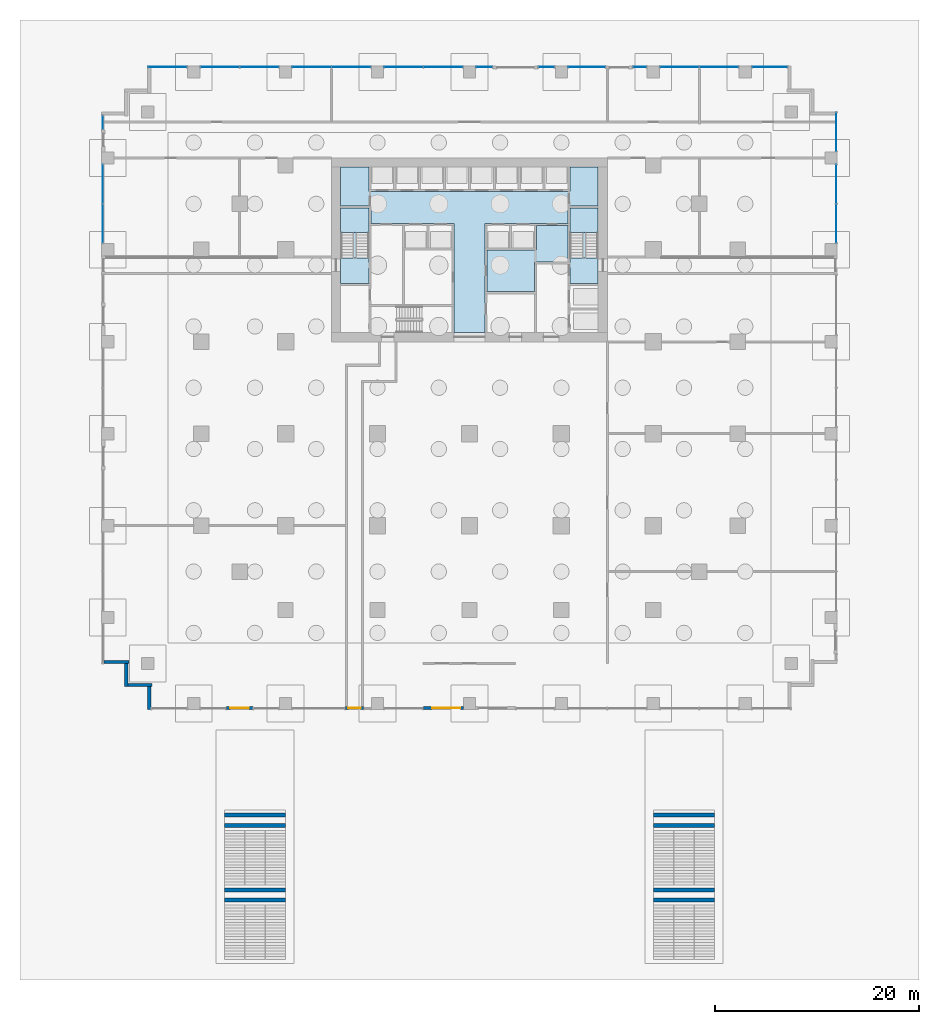
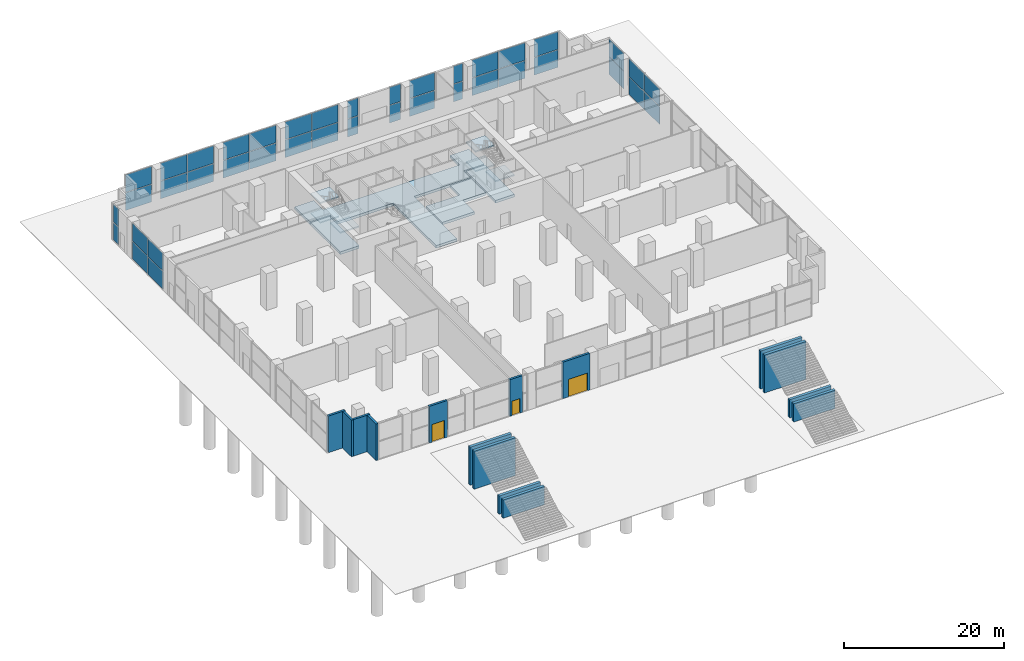
# One storey, part 13 of 20: 40 plates, 15 walls, 10 slabs, 3 doors, 3 openings, 16 elements without a shape of their own.
"""IFC4 building model written with IfcOpenShell, lengths in metres."""

from ifc_helpers import new_model, si_unit, direction, frame, frame_2d, origin, origin_2d, place, context, subcontext, project, spatial, polyline, rectangle, outline, extrude, material, layer, layer_set, type_object, element, fill, aggregate, save


model = new_model("IFC4")

# Units and contexts
model_context = context("Model", 3, precision=1e-05, world=origin(), true_north=direction((0.0, 1.0)))
body_context = subcontext(model_context, "Body", "Model", "MODEL_VIEW")
ifc_project = project(units=[si_unit("LENGTHUNIT", "METRE"), si_unit("AREAUNIT", "SQUARE_METRE"), si_unit("VOLUMEUNIT", "CUBIC_METRE"), si_unit("PLANEANGLEUNIT", "RADIAN"), si_unit("MASSUNIT", "GRAM", prefix="KILO")], contexts=[model_context])

# Site, building, storey
site_placement = place(None, origin())
site = spatial("IfcSite", under=ifc_project, at=site_placement, CompositionType="ELEMENT")
building_placement = place(site_placement, origin())
building = spatial("IfcBuilding", under=site, at=building_placement, Name="Orbiselva Terraces", CompositionType="ELEMENT")
storey_placement = place(building_placement, origin())
storey = spatial("IfcBuildingStorey", under=building, at=storey_placement, Name="L00", CompositionType="ELEMENT", Elevation=0.0)

# Slabs
ifc_material_1 = material(Name="Concrete C40/50", Category="concrete")
ifc_layer_1 = layer(ifc_material_1, 0.4)
ifc_layer_set_1 = layer_set([ifc_layer_1], Name="Concrete C40/50")
slab_type_1 = type_object("IfcSlabType", Name="CORE-SLAB-GROUND-400", PredefinedType="BASESLAB", material=ifc_layer_set_1)
slab_1_placement = place(storey_placement, frame((0.0, 0.0, -0.4)))
element("IfcSlab", 1, at=slab_1_placement, inside=storey, type_object=slab_type_1, Name="L00 core floor slab 1", PredefinedType="BASESLAB", context=body_context, shape_type="SweptSolid", body=[
    extrude(outline(polyline([(12.6, 10.2), (9.85, 10.2), (9.85, 17.6), (12.6, 17.6), (12.6, 10.2)])), origin(), (0.0, 0.0, 1.0), 0.4),
])
slab_2_placement = place(storey_placement, frame((0.0, 0.0, -0.4)))
element("IfcSlab", 2, at=slab_2_placement, inside=storey, type_object=slab_type_1, Name="L00 core floor slab 2", PredefinedType="BASESLAB", context=body_context, shape_type="SweptSolid", body=[
    extrude(outline(polyline([(12.6, 21.6), (12.6, 17.8), (9.65, 17.8), (9.65, 16.1), (1.5, 16.1), (1.5, 5.4), (-1.5, 5.4), (-1.5, 16.1), (-9.65, 16.1), (-9.65, 17.8), (-12.6, 17.8), (-12.6, 21.6), (-9.85, 21.6), (-9.85, 19.2), (9.85, 19.2), (9.85, 21.6), (12.6, 21.6)])), origin(), (0.0, 0.0, 1.0), 0.4),
])
slab_3_placement = place(storey_placement, frame((0.0, 0.0, -0.4)))
element("IfcSlab", 3, at=slab_3_placement, inside=storey, type_object=slab_type_1, Name="L00 core floor slab 3", PredefinedType="BASESLAB", context=body_context, shape_type="SweptSolid", body=[
    extrude(outline(polyline([(-12.6, 17.6), (-9.85, 17.6), (-9.85, 10.2), (-12.6, 10.2), (-12.6, 17.6)])), origin(), (0.0, 0.0, 1.0), 0.4),
])
slab_4_placement = place(storey_placement, frame((0.0, 0.0, -0.4)))
element("IfcSlab", 4, at=slab_4_placement, inside=storey, type_object=slab_type_1, Name="L00 core floor slab 8", PredefinedType="BASESLAB", context=body_context, shape_type="SweptSolid", body=[
    extrude(outline(polyline([(6.575, 13.5), (6.575, 15.9), (9.65, 15.9), (9.65, 12.3), (6.375, 12.3), (6.375, 9.4), (1.7, 9.4), (1.7, 13.5), (6.575, 13.5)])), origin(), (0.0, 0.0, 1.0), 0.4),
])

# Stair, slabs
stair_type = type_object("IfcStairType", Name="CORE-STAIR-1300", PredefinedType="HALF_TURN_STAIR", material=ifc_material_1)
stair_1_placement = place(storey_placement, origin())
stair_1 = element("IfcStair", 5, at=stair_1_placement, inside=storey, type_object=stair_type, Name="L00 Exit Stair S1", PredefinedType="HALF_TURN_STAIR")
ifc_layer_2 = layer(ifc_material_1, 0.2)
ifc_layer_set_2 = layer_set([ifc_layer_2], Name="Concrete C40/50")
slab_type_2 = type_object("IfcSlabType", Name="CORE-STAIR-LANDING-200", PredefinedType="LANDING", material=ifc_layer_set_2)
slab_5_placement = place(storey_placement, frame((0.0, 0.0, 1.3)))
slab_5 = element("IfcSlab", 6, at=slab_5_placement, type_object=slab_type_2, Name="S1 landing 1", PredefinedType="LANDING", context=body_context, shape_type="SweptSolid", body=[
    extrude(outline(polyline([(-9.85, 15.22), (-9.85, 17.6), (-12.6, 17.6), (-12.6, 15.22), (-9.85, 15.22)])), origin(), (0.0, 0.0, 1.0), 0.2),
])
slab_6_placement = place(storey_placement, frame((0.0, 0.0, 2.8)))
slab_6 = element("IfcSlab", 7, at=slab_6_placement, type_object=slab_type_2, Name="S1 landing 2", PredefinedType="LANDING", context=body_context, shape_type="SweptSolid", body=[
    extrude(outline(polyline([(-9.85, 10.2), (-9.85, 12.7), (-12.6, 12.7), (-12.6, 10.2), (-9.85, 10.2)])), origin(), (0.0, 0.0, 1.0), 0.2),
])
slab_7_placement = place(storey_placement, frame((0.0, 0.0, 4.3)))
slab_7 = element("IfcSlab", 8, at=slab_7_placement, type_object=slab_type_2, Name="S1 landing 3", PredefinedType="LANDING", context=body_context, shape_type="SweptSolid", body=[
    extrude(outline(polyline([(-9.85, 15.22), (-9.85, 17.6), (-12.6, 17.6), (-12.6, 15.22), (-9.85, 15.22)])), origin(), (0.0, 0.0, 1.0), 0.2),
])
aggregate(stair_1, [slab_5, slab_6, slab_7])

stair_2_placement = place(storey_placement, origin())
stair_2 = element("IfcStair", 9, at=stair_2_placement, inside=storey, type_object=stair_type, Name="L00 Exit Stair S2", PredefinedType="HALF_TURN_STAIR")
slab_8_placement = place(storey_placement, frame((0.0, 0.0, 1.3)))
slab_8 = element("IfcSlab", 10, at=slab_8_placement, type_object=slab_type_2, Name="S2 landing 1", PredefinedType="LANDING", context=body_context, shape_type="SweptSolid", body=[
    extrude(outline(polyline([(12.6, 15.22), (12.6, 17.6), (9.85, 17.6), (9.85, 15.22), (12.6, 15.22)])), origin(), (0.0, 0.0, 1.0), 0.2),
])
slab_9_placement = place(storey_placement, frame((0.0, 0.0, 2.8)))
slab_9 = element("IfcSlab", 11, at=slab_9_placement, type_object=slab_type_2, Name="S2 landing 2", PredefinedType="LANDING", context=body_context, shape_type="SweptSolid", body=[
    extrude(outline(polyline([(12.6, 10.2), (12.6, 12.7), (9.85, 12.7), (9.85, 10.2), (12.6, 10.2)])), origin(), (0.0, 0.0, 1.0), 0.2),
])
slab_10_placement = place(storey_placement, frame((0.0, 0.0, 4.3)))
slab_10 = element("IfcSlab", 12, at=slab_10_placement, type_object=slab_type_2, Name="S2 landing 3", PredefinedType="LANDING", context=body_context, shape_type="SweptSolid", body=[
    extrude(outline(polyline([(12.6, 15.22), (12.6, 17.6), (9.85, 17.6), (9.85, 15.22), (12.6, 15.22)])), origin(), (0.0, 0.0, 1.0), 0.2),
])
aggregate(stair_2, [slab_8, slab_9, slab_10])

# Curtain wall, plates
ifc_material_2 = material(Name="Clear low-e glazing in aluminium frame", Category="aluminium")
curtain_wall_type = type_object("IfcCurtainWallType", Name="ENV-CW-LOBBY", PredefinedType="NOTDEFINED", material=ifc_material_2)
curtain_wall_1_placement = place(storey_placement, origin())
curtain_wall_1 = element("IfcCurtainWall", 13, at=curtain_wall_1_placement, inside=storey, type_object=curtain_wall_type, Name="Curtain wall L00 E", PredefinedType="NOTDEFINED")
ifc_material_3 = material(Name="Clear low-e glass", Category="glass")
ifc_layer_3 = layer(ifc_material_3, 0.028)
ifc_layer_set_3 = layer_set([ifc_layer_3], Name="Clear low-e glass")
plate_type = type_object("IfcPlateType", Name="ENV-CW-LOBBY-PANEL-28", PredefinedType="CURTAIN_PANEL", material=ifc_layer_set_3)
plate_1_placement = place(storey_placement, frame((35.9, 16.06875, 0.075), z_axis=(0.0, 0.0, 1.0), x_axis=(0.0, 1.0, 0.0)))
plate_1 = element("IfcPlate", 14, at=plate_1_placement, type_object=plate_type, Name="CW1 panel 1.1", PredefinedType="CURTAIN_PANEL", context=body_context, shape_type="SweptSolid", body=[
    extrude(rectangle(XDim=3.7875, YDim=0.028, at=origin_2d()), origin(), (0.0, 0.0, 1.0), 2.6875),
])
plate_2_placement = place(storey_placement, frame((35.9, 16.06875, 2.8375), z_axis=(0.0, 0.0, 1.0), x_axis=(0.0, 1.0, 0.0)))
plate_2 = element("IfcPlate", 15, at=plate_2_placement, type_object=plate_type, Name="CW1 panel 1.2", PredefinedType="CURTAIN_PANEL", context=body_context, shape_type="SweptSolid", body=[
    extrude(rectangle(XDim=3.7875, YDim=0.028, at=origin_2d()), origin(), (0.0, 0.0, 1.0), 2.6875),
])
plate_3_placement = place(storey_placement, frame((35.9, 19.93125, 0.075), z_axis=(0.0, 0.0, 1.0), x_axis=(0.0, 1.0, 0.0)))
plate_3 = element("IfcPlate", 16, at=plate_3_placement, type_object=plate_type, Name="CW1 panel 2.1", PredefinedType="CURTAIN_PANEL", context=body_context, shape_type="SweptSolid", body=[
    extrude(rectangle(XDim=3.7875, YDim=0.028, at=origin_2d()), origin(), (0.0, 0.0, 1.0), 2.6875),
])
plate_4_placement = place(storey_placement, frame((35.9, 19.93125, 2.8375), z_axis=(0.0, 0.0, 1.0), x_axis=(0.0, 1.0, 0.0)))
plate_4 = element("IfcPlate", 17, at=plate_4_placement, type_object=plate_type, Name="CW1 panel 2.2", PredefinedType="CURTAIN_PANEL", context=body_context, shape_type="SweptSolid", body=[
    extrude(rectangle(XDim=3.7875, YDim=0.028, at=origin_2d()), origin(), (0.0, 0.0, 1.0), 2.6875),
])
aggregate(curtain_wall_1, [plate_1, plate_2, plate_3, plate_4])

curtain_wall_2_placement = place(storey_placement, origin())
curtain_wall_2 = element("IfcCurtainWall", 18, at=curtain_wall_2_placement, inside=storey, type_object=curtain_wall_type, Name="Curtain wall L00 E", PredefinedType="NOTDEFINED")
plate_5_placement = place(storey_placement, frame((35.9, 25.05, 0.075), z_axis=(0.0, 0.0, 1.0), x_axis=(0.0, 1.0, 0.0)))
plate_5 = element("IfcPlate", 19, at=plate_5_placement, type_object=plate_type, Name="CW1 panel 1.1", PredefinedType="CURTAIN_PANEL", context=body_context, shape_type="SweptSolid", body=[
    extrude(rectangle(XDim=3.75, YDim=0.028, at=origin_2d()), origin(), (0.0, 0.0, 1.0), 2.6875),
])
plate_6_placement = place(storey_placement, frame((35.9, 25.05, 2.8375), z_axis=(0.0, 0.0, 1.0), x_axis=(0.0, 1.0, 0.0)))
plate_6 = element("IfcPlate", 20, at=plate_6_placement, type_object=plate_type, Name="CW1 panel 1.2", PredefinedType="CURTAIN_PANEL", context=body_context, shape_type="SweptSolid", body=[
    extrude(rectangle(XDim=3.75, YDim=0.028, at=origin_2d()), origin(), (0.0, 0.0, 1.0), 2.6875),
])
aggregate(curtain_wall_2, [plate_5, plate_6])

curtain_wall_3_placement = place(storey_placement, origin())
curtain_wall_3 = element("IfcCurtainWall", 21, at=curtain_wall_3_placement, inside=storey, type_object=curtain_wall_type, Name="Curtain wall L00 N", PredefinedType="NOTDEFINED")
plate_7_placement = place(storey_placement, frame((29.4, 31.4, 0.075), z_axis=(0.0, 0.0, 1.0), x_axis=(-1.0, 0.0, 0.0)))
plate_7 = element("IfcPlate", 22, at=plate_7_placement, type_object=plate_type, Name="CW1 panel 1.1", PredefinedType="CURTAIN_PANEL", context=body_context, shape_type="SweptSolid", body=[
    extrude(rectangle(XDim=3.45, YDim=0.028, at=origin_2d()), origin(), (0.0, 0.0, 1.0), 2.6875),
])
plate_8_placement = place(storey_placement, frame((29.4, 31.4, 2.8375), z_axis=(0.0, 0.0, 1.0), x_axis=(-1.0, 0.0, 0.0)))
plate_8 = element("IfcPlate", 23, at=plate_8_placement, type_object=plate_type, Name="CW1 panel 1.2", PredefinedType="CURTAIN_PANEL", context=body_context, shape_type="SweptSolid", body=[
    extrude(rectangle(XDim=3.45, YDim=0.028, at=origin_2d()), origin(), (0.0, 0.0, 1.0), 2.6875),
])
aggregate(curtain_wall_3, [plate_7, plate_8])

curtain_wall_4_placement = place(storey_placement, origin())
curtain_wall_4 = element("IfcCurtainWall", 24, at=curtain_wall_4_placement, inside=storey, type_object=curtain_wall_type, Name="Curtain wall L00 N", PredefinedType="NOTDEFINED")
plate_9_placement = place(storey_placement, frame((24.43125, 31.4, 0.075), z_axis=(0.0, 0.0, 1.0), x_axis=(-1.0, 0.0, 0.0)))
plate_9 = element("IfcPlate", 25, at=plate_9_placement, type_object=plate_type, Name="CW1 panel 1.1", PredefinedType="CURTAIN_PANEL", context=body_context, shape_type="SweptSolid", body=[
    extrude(rectangle(XDim=3.7875, YDim=0.028, at=origin_2d()), origin(), (0.0, 0.0, 1.0), 2.6875),
])
plate_10_placement = place(storey_placement, frame((24.43125, 31.4, 2.8375), z_axis=(0.0, 0.0, 1.0), x_axis=(-1.0, 0.0, 0.0)))
plate_10 = element("IfcPlate", 26, at=plate_10_placement, type_object=plate_type, Name="CW1 panel 1.2", PredefinedType="CURTAIN_PANEL", context=body_context, shape_type="SweptSolid", body=[
    extrude(rectangle(XDim=3.7875, YDim=0.028, at=origin_2d()), origin(), (0.0, 0.0, 1.0), 2.6875),
])
plate_11_placement = place(storey_placement, frame((20.56875, 31.4, 0.075), z_axis=(0.0, 0.0, 1.0), x_axis=(-1.0, 0.0, 0.0)))
plate_11 = element("IfcPlate", 27, at=plate_11_placement, type_object=plate_type, Name="CW1 panel 2.1", PredefinedType="CURTAIN_PANEL", context=body_context, shape_type="SweptSolid", body=[
    extrude(rectangle(XDim=3.7875, YDim=0.028, at=origin_2d()), origin(), (0.0, 0.0, 1.0), 2.6875),
])
plate_12_placement = place(storey_placement, frame((20.56875, 31.4, 2.8375), z_axis=(0.0, 0.0, 1.0), x_axis=(-1.0, 0.0, 0.0)))
plate_12 = element("IfcPlate", 28, at=plate_12_placement, type_object=plate_type, Name="CW1 panel 2.2", PredefinedType="CURTAIN_PANEL", context=body_context, shape_type="SweptSolid", body=[
    extrude(rectangle(XDim=3.7875, YDim=0.028, at=origin_2d()), origin(), (0.0, 0.0, 1.0), 2.6875),
])
aggregate(curtain_wall_4, [plate_9, plate_10, plate_11, plate_12])

curtain_wall_5_placement = place(storey_placement, origin())
curtain_wall_5 = element("IfcCurtainWall", 29, at=curtain_wall_5_placement, inside=storey, type_object=curtain_wall_type, Name="Curtain wall L00 N", PredefinedType="NOTDEFINED")
plate_13_placement = place(storey_placement, frame((16.675, 31.4, 0.075), z_axis=(0.0, 0.0, 1.0), x_axis=(-1.0, 0.0, 0.0)))
plate_13 = element("IfcPlate", 30, at=plate_13_placement, type_object=plate_type, Name="CW1 panel 1.1", PredefinedType="CURTAIN_PANEL", context=body_context, shape_type="SweptSolid", body=[
    extrude(rectangle(XDim=1.3, YDim=0.028, at=origin_2d()), origin(), (0.0, 0.0, 1.0), 2.6875),
])
plate_14_placement = place(storey_placement, frame((16.675, 31.4, 2.8375), z_axis=(0.0, 0.0, 1.0), x_axis=(-1.0, 0.0, 0.0)))
plate_14 = element("IfcPlate", 31, at=plate_14_placement, type_object=plate_type, Name="CW1 panel 1.2", PredefinedType="CURTAIN_PANEL", context=body_context, shape_type="SweptSolid", body=[
    extrude(rectangle(XDim=1.3, YDim=0.028, at=origin_2d()), origin(), (0.0, 0.0, 1.0), 2.6875),
])
aggregate(curtain_wall_5, [plate_13, plate_14])

curtain_wall_6_placement = place(storey_placement, origin())
curtain_wall_6 = element("IfcCurtainWall", 32, at=curtain_wall_6_placement, inside=storey, type_object=curtain_wall_type, Name="Curtain wall L00 N", PredefinedType="NOTDEFINED")
plate_15_placement = place(storey_placement, frame((11.475, 31.4, 0.075), z_axis=(0.0, 0.0, 1.0), x_axis=(-1.0, 0.0, 0.0)))
plate_15 = element("IfcPlate", 33, at=plate_15_placement, type_object=plate_type, Name="CW1 panel 1.1", PredefinedType="CURTAIN_PANEL", context=body_context, shape_type="SweptSolid", body=[
    extrude(rectangle(XDim=3.6, YDim=0.028, at=origin_2d()), origin(), (0.0, 0.0, 1.0), 2.6875),
])
plate_16_placement = place(storey_placement, frame((11.475, 31.4, 2.8375), z_axis=(0.0, 0.0, 1.0), x_axis=(-1.0, 0.0, 0.0)))
plate_16 = element("IfcPlate", 34, at=plate_16_placement, type_object=plate_type, Name="CW1 panel 1.2", PredefinedType="CURTAIN_PANEL", context=body_context, shape_type="SweptSolid", body=[
    extrude(rectangle(XDim=3.6, YDim=0.028, at=origin_2d()), origin(), (0.0, 0.0, 1.0), 2.6875),
])
aggregate(curtain_wall_6, [plate_15, plate_16])

curtain_wall_7_placement = place(storey_placement, origin())
curtain_wall_7 = element("IfcCurtainWall", 35, at=curtain_wall_7_placement, inside=storey, type_object=curtain_wall_type, Name="Curtain wall L00 N", PredefinedType="NOTDEFINED")
plate_17_placement = place(storey_placement, frame((7.55, 31.4, 0.075), z_axis=(0.0, 0.0, 1.0), x_axis=(-1.0, 0.0, 0.0)))
plate_17 = element("IfcPlate", 36, at=plate_17_placement, type_object=plate_type, Name="CW1 panel 1.1", PredefinedType="CURTAIN_PANEL", context=body_context, shape_type="SweptSolid", body=[
    extrude(rectangle(XDim=1.55, YDim=0.028, at=origin_2d()), origin(), (0.0, 0.0, 1.0), 2.6875),
])
plate_18_placement = place(storey_placement, frame((7.55, 31.4, 2.8375), z_axis=(0.0, 0.0, 1.0), x_axis=(-1.0, 0.0, 0.0)))
plate_18 = element("IfcPlate", 37, at=plate_18_placement, type_object=plate_type, Name="CW1 panel 1.2", PredefinedType="CURTAIN_PANEL", context=body_context, shape_type="SweptSolid", body=[
    extrude(rectangle(XDim=1.55, YDim=0.028, at=origin_2d()), origin(), (0.0, 0.0, 1.0), 2.6875),
])
aggregate(curtain_wall_7, [plate_17, plate_18])

curtain_wall_8_placement = place(storey_placement, origin())
curtain_wall_8 = element("IfcCurtainWall", 38, at=curtain_wall_8_placement, inside=storey, type_object=curtain_wall_type, Name="Curtain wall L00 N", PredefinedType="NOTDEFINED")
plate_19_placement = place(storey_placement, frame((1.45, 31.4, 0.075), z_axis=(0.0, 0.0, 1.0), x_axis=(-1.0, 0.0, 0.0)))
plate_19 = element("IfcPlate", 39, at=plate_19_placement, type_object=plate_type, Name="CW1 panel 1.1", PredefinedType="CURTAIN_PANEL", context=body_context, shape_type="SweptSolid", body=[
    extrude(rectangle(XDim=1.55, YDim=0.028, at=origin_2d()), origin(), (0.0, 0.0, 1.0), 2.6875),
])
plate_20_placement = place(storey_placement, frame((1.45, 31.4, 2.8375), z_axis=(0.0, 0.0, 1.0), x_axis=(-1.0, 0.0, 0.0)))
plate_20 = element("IfcPlate", 40, at=plate_20_placement, type_object=plate_type, Name="CW1 panel 1.2", PredefinedType="CURTAIN_PANEL", context=body_context, shape_type="SweptSolid", body=[
    extrude(rectangle(XDim=1.55, YDim=0.028, at=origin_2d()), origin(), (0.0, 0.0, 1.0), 2.6875),
])
aggregate(curtain_wall_8, [plate_19, plate_20])

curtain_wall_9_placement = place(storey_placement, origin())
curtain_wall_9 = element("IfcCurtainWall", 41, at=curtain_wall_9_placement, inside=storey, type_object=curtain_wall_type, Name="Curtain wall L00 N", PredefinedType="NOTDEFINED")
plate_21_placement = place(storey_placement, frame((-2.56875, 31.4, 0.075), z_axis=(0.0, 0.0, 1.0), x_axis=(-1.0, 0.0, 0.0)))
plate_21 = element("IfcPlate", 42, at=plate_21_placement, type_object=plate_type, Name="CW1 panel 1.1", PredefinedType="CURTAIN_PANEL", context=body_context, shape_type="SweptSolid", body=[
    extrude(rectangle(XDim=3.7875, YDim=0.028, at=origin_2d()), origin(), (0.0, 0.0, 1.0), 2.6875),
])
plate_22_placement = place(storey_placement, frame((-2.56875, 31.4, 2.8375), z_axis=(0.0, 0.0, 1.0), x_axis=(-1.0, 0.0, 0.0)))
plate_22 = element("IfcPlate", 43, at=plate_22_placement, type_object=plate_type, Name="CW1 panel 1.2", PredefinedType="CURTAIN_PANEL", context=body_context, shape_type="SweptSolid", body=[
    extrude(rectangle(XDim=3.7875, YDim=0.028, at=origin_2d()), origin(), (0.0, 0.0, 1.0), 2.6875),
])
plate_23_placement = place(storey_placement, frame((-6.43125, 31.4, 0.075), z_axis=(0.0, 0.0, 1.0), x_axis=(-1.0, 0.0, 0.0)))
plate_23 = element("IfcPlate", 44, at=plate_23_placement, type_object=plate_type, Name="CW1 panel 2.1", PredefinedType="CURTAIN_PANEL", context=body_context, shape_type="SweptSolid", body=[
    extrude(rectangle(XDim=3.7875, YDim=0.028, at=origin_2d()), origin(), (0.0, 0.0, 1.0), 2.6875),
])
plate_24_placement = place(storey_placement, frame((-6.43125, 31.4, 2.8375), z_axis=(0.0, 0.0, 1.0), x_axis=(-1.0, 0.0, 0.0)))
plate_24 = element("IfcPlate", 45, at=plate_24_placement, type_object=plate_type, Name="CW1 panel 2.2", PredefinedType="CURTAIN_PANEL", context=body_context, shape_type="SweptSolid", body=[
    extrude(rectangle(XDim=3.7875, YDim=0.028, at=origin_2d()), origin(), (0.0, 0.0, 1.0), 2.6875),
])
aggregate(curtain_wall_9, [plate_21, plate_22, plate_23, plate_24])

curtain_wall_10_placement = place(storey_placement, origin())
curtain_wall_10 = element("IfcCurtainWall", 46, at=curtain_wall_10_placement, inside=storey, type_object=curtain_wall_type, Name="Curtain wall L00 N", PredefinedType="NOTDEFINED")
plate_25_placement = place(storey_placement, frame((-11.56875, 31.4, 0.075), z_axis=(0.0, 0.0, 1.0), x_axis=(-1.0, 0.0, 0.0)))
plate_25 = element("IfcPlate", 47, at=plate_25_placement, type_object=plate_type, Name="CW1 panel 1.1", PredefinedType="CURTAIN_PANEL", context=body_context, shape_type="SweptSolid", body=[
    extrude(rectangle(XDim=3.7875, YDim=0.028, at=origin_2d()), origin(), (0.0, 0.0, 1.0), 2.6875),
])
plate_26_placement = place(storey_placement, frame((-11.56875, 31.4, 2.8375), z_axis=(0.0, 0.0, 1.0), x_axis=(-1.0, 0.0, 0.0)))
plate_26 = element("IfcPlate", 48, at=plate_26_placement, type_object=plate_type, Name="CW1 panel 1.2", PredefinedType="CURTAIN_PANEL", context=body_context, shape_type="SweptSolid", body=[
    extrude(rectangle(XDim=3.7875, YDim=0.028, at=origin_2d()), origin(), (0.0, 0.0, 1.0), 2.6875),
])
plate_27_placement = place(storey_placement, frame((-15.43125, 31.4, 0.075), z_axis=(0.0, 0.0, 1.0), x_axis=(-1.0, 0.0, 0.0)))
plate_27 = element("IfcPlate", 49, at=plate_27_placement, type_object=plate_type, Name="CW1 panel 2.1", PredefinedType="CURTAIN_PANEL", context=body_context, shape_type="SweptSolid", body=[
    extrude(rectangle(XDim=3.7875, YDim=0.028, at=origin_2d()), origin(), (0.0, 0.0, 1.0), 2.6875),
])
plate_28_placement = place(storey_placement, frame((-15.43125, 31.4, 2.8375), z_axis=(0.0, 0.0, 1.0), x_axis=(-1.0, 0.0, 0.0)))
plate_28 = element("IfcPlate", 50, at=plate_28_placement, type_object=plate_type, Name="CW1 panel 2.2", PredefinedType="CURTAIN_PANEL", context=body_context, shape_type="SweptSolid", body=[
    extrude(rectangle(XDim=3.7875, YDim=0.028, at=origin_2d()), origin(), (0.0, 0.0, 1.0), 2.6875),
])
aggregate(curtain_wall_10, [plate_25, plate_26, plate_27, plate_28])

curtain_wall_11_placement = place(storey_placement, origin())
curtain_wall_11 = element("IfcCurtainWall", 51, at=curtain_wall_11_placement, inside=storey, type_object=curtain_wall_type, Name="Curtain wall L00 N", PredefinedType="NOTDEFINED")
plate_29_placement = place(storey_placement, frame((-20.56875, 31.4, 0.075), z_axis=(0.0, 0.0, 1.0), x_axis=(-1.0, 0.0, 0.0)))
plate_29 = element("IfcPlate", 52, at=plate_29_placement, type_object=plate_type, Name="CW1 panel 1.1", PredefinedType="CURTAIN_PANEL", context=body_context, shape_type="SweptSolid", body=[
    extrude(rectangle(XDim=3.7875, YDim=0.028, at=origin_2d()), origin(), (0.0, 0.0, 1.0), 2.6875),
])
plate_30_placement = place(storey_placement, frame((-20.56875, 31.4, 2.8375), z_axis=(0.0, 0.0, 1.0), x_axis=(-1.0, 0.0, 0.0)))
plate_30 = element("IfcPlate", 53, at=plate_30_placement, type_object=plate_type, Name="CW1 panel 1.2", PredefinedType="CURTAIN_PANEL", context=body_context, shape_type="SweptSolid", body=[
    extrude(rectangle(XDim=3.7875, YDim=0.028, at=origin_2d()), origin(), (0.0, 0.0, 1.0), 2.6875),
])
plate_31_placement = place(storey_placement, frame((-24.43125, 31.4, 0.075), z_axis=(0.0, 0.0, 1.0), x_axis=(-1.0, 0.0, 0.0)))
plate_31 = element("IfcPlate", 54, at=plate_31_placement, type_object=plate_type, Name="CW1 panel 2.1", PredefinedType="CURTAIN_PANEL", context=body_context, shape_type="SweptSolid", body=[
    extrude(rectangle(XDim=3.7875, YDim=0.028, at=origin_2d()), origin(), (0.0, 0.0, 1.0), 2.6875),
])
plate_32_placement = place(storey_placement, frame((-24.43125, 31.4, 2.8375), z_axis=(0.0, 0.0, 1.0), x_axis=(-1.0, 0.0, 0.0)))
plate_32 = element("IfcPlate", 55, at=plate_32_placement, type_object=plate_type, Name="CW1 panel 2.2", PredefinedType="CURTAIN_PANEL", context=body_context, shape_type="SweptSolid", body=[
    extrude(rectangle(XDim=3.7875, YDim=0.028, at=origin_2d()), origin(), (0.0, 0.0, 1.0), 2.6875),
])
aggregate(curtain_wall_11, [plate_29, plate_30, plate_31, plate_32])

curtain_wall_12_placement = place(storey_placement, origin())
curtain_wall_12 = element("IfcCurtainWall", 56, at=curtain_wall_12_placement, inside=storey, type_object=curtain_wall_type, Name="Curtain wall L00 N", PredefinedType="NOTDEFINED")
plate_33_placement = place(storey_placement, frame((-29.55, 31.4, 0.075), z_axis=(0.0, 0.0, 1.0), x_axis=(-1.0, 0.0, 0.0)))
plate_33 = element("IfcPlate", 57, at=plate_33_placement, type_object=plate_type, Name="CW1 panel 1.1", PredefinedType="CURTAIN_PANEL", context=body_context, shape_type="SweptSolid", body=[
    extrude(rectangle(XDim=3.75, YDim=0.028, at=origin_2d()), origin(), (0.0, 0.0, 1.0), 2.6875),
])
plate_34_placement = place(storey_placement, frame((-29.55, 31.4, 2.8375), z_axis=(0.0, 0.0, 1.0), x_axis=(-1.0, 0.0, 0.0)))
plate_34 = element("IfcPlate", 58, at=plate_34_placement, type_object=plate_type, Name="CW1 panel 1.2", PredefinedType="CURTAIN_PANEL", context=body_context, shape_type="SweptSolid", body=[
    extrude(rectangle(XDim=3.75, YDim=0.028, at=origin_2d()), origin(), (0.0, 0.0, 1.0), 2.6875),
])
aggregate(curtain_wall_12, [plate_33, plate_34])

curtain_wall_13_placement = place(storey_placement, origin())
curtain_wall_13 = element("IfcCurtainWall", 59, at=curtain_wall_13_placement, inside=storey, type_object=curtain_wall_type, Name="Curtain wall L00 W", PredefinedType="NOTDEFINED")
plate_35_placement = place(storey_placement, frame((-35.9, 25.975, 0.075), z_axis=(0.0, 0.0, 1.0), x_axis=(0.0, -1.0, 0.0)))
plate_35 = element("IfcPlate", 60, at=plate_35_placement, type_object=plate_type, Name="CW1 panel 1.1", PredefinedType="CURTAIN_PANEL", context=body_context, shape_type="SweptSolid", body=[
    extrude(rectangle(XDim=1.3, YDim=0.028, at=origin_2d()), origin(), (0.0, 0.0, 1.0), 2.6875),
])
plate_36_placement = place(storey_placement, frame((-35.9, 25.975, 2.8375), z_axis=(0.0, 0.0, 1.0), x_axis=(0.0, -1.0, 0.0)))
plate_36 = element("IfcPlate", 61, at=plate_36_placement, type_object=plate_type, Name="CW1 panel 1.2", PredefinedType="CURTAIN_PANEL", context=body_context, shape_type="SweptSolid", body=[
    extrude(rectangle(XDim=1.3, YDim=0.028, at=origin_2d()), origin(), (0.0, 0.0, 1.0), 2.6875),
])
aggregate(curtain_wall_13, [plate_35, plate_36])

curtain_wall_14_placement = place(storey_placement, origin())
curtain_wall_14 = element("IfcCurtainWall", 62, at=curtain_wall_14_placement, inside=storey, type_object=curtain_wall_type, Name="Curtain wall L00 W", PredefinedType="NOTDEFINED")
plate_37_placement = place(storey_placement, frame((-35.9, 19.93125, 0.075), z_axis=(0.0, 0.0, 1.0), x_axis=(0.0, -1.0, 0.0)))
plate_37 = element("IfcPlate", 63, at=plate_37_placement, type_object=plate_type, Name="CW1 panel 1.1", PredefinedType="CURTAIN_PANEL", context=body_context, shape_type="SweptSolid", body=[
    extrude(rectangle(XDim=3.7875, YDim=0.028, at=origin_2d()), origin(), (0.0, 0.0, 1.0), 2.6875),
])
plate_38_placement = place(storey_placement, frame((-35.9, 19.93125, 2.8375), z_axis=(0.0, 0.0, 1.0), x_axis=(0.0, -1.0, 0.0)))
plate_38 = element("IfcPlate", 64, at=plate_38_placement, type_object=plate_type, Name="CW1 panel 1.2", PredefinedType="CURTAIN_PANEL", context=body_context, shape_type="SweptSolid", body=[
    extrude(rectangle(XDim=3.7875, YDim=0.028, at=origin_2d()), origin(), (0.0, 0.0, 1.0), 2.6875),
])
plate_39_placement = place(storey_placement, frame((-35.9, 16.06875, 0.075), z_axis=(0.0, 0.0, 1.0), x_axis=(0.0, -1.0, 0.0)))
plate_39 = element("IfcPlate", 65, at=plate_39_placement, type_object=plate_type, Name="CW1 panel 2.1", PredefinedType="CURTAIN_PANEL", context=body_context, shape_type="SweptSolid", body=[
    extrude(rectangle(XDim=3.7875, YDim=0.028, at=origin_2d()), origin(), (0.0, 0.0, 1.0), 2.6875),
])
plate_40_placement = place(storey_placement, frame((-35.9, 16.06875, 2.8375), z_axis=(0.0, 0.0, 1.0), x_axis=(0.0, -1.0, 0.0)))
plate_40 = element("IfcPlate", 66, at=plate_40_placement, type_object=plate_type, Name="CW1 panel 2.2", PredefinedType="CURTAIN_PANEL", context=body_context, shape_type="SweptSolid", body=[
    extrude(rectangle(XDim=3.7875, YDim=0.028, at=origin_2d()), origin(), (0.0, 0.0, 1.0), 2.6875),
])
aggregate(curtain_wall_14, [plate_37, plate_38, plate_39, plate_40])

# Wall, opening, door
ifc_material_4 = material(Name="Masonry blockwork", Category="masonry")
ifc_layer_4 = layer(ifc_material_4, 0.3)
ifc_layer_set_4 = layer_set([ifc_layer_4], Name="Masonry blockwork")
wall_type_1 = type_object("IfcWallType", Name="CORE-WALL-PARTITION-300-EI120", PredefinedType="PARTITIONING", material=ifc_layer_set_4)
wall_1_placement = place(storey_placement, frame((-10.35, -31.35, 0.0), z_axis=(0.0, 0.0, 1.0), x_axis=(-1.0, 0.0, 0.0)))
wall_1 = element("IfcWall", 67, at=wall_1_placement, inside=storey, type_object=wall_type_1, Name="EXIT PASSAGE S3 end wall", PredefinedType="PARTITIONING", context=body_context, shape_type="SweptSolid", body=[
    extrude(rectangle(XDim=1.8, YDim=0.3, at=frame_2d((0.9, 0.0))), origin(), (0.0, 0.0, 1.0), 5.6),
])
opening_1_placement = place(wall_1_placement, frame((0.3, 0.0, 0.0)))
opening_1 = element("IfcOpeningElement", 68, at=opening_1_placement, cuts=wall_1, Name="Opening CX3", PredefinedType="OPENING", context=body_context, shape_type="SweptSolid", body=[
    extrude(rectangle(XDim=1.2, YDim=2.2, at=frame_2d((0.6, 1.1))), frame((0.0, 0.16, 0.0), z_axis=(0.0, -1.0, 0.0), x_axis=(1.0, 0.0, 0.0)), (0.0, 0.0, 1.0), 0.32),
])
ifc_material_5 = material(Name="Steel fire door", Category="steel")
door_type_1 = type_object("IfcDoorType", Name="STAIR DOOR 1200", OperationType="NOTDEFINED", PredefinedType="DOOR", material=ifc_material_5)
door_1_placement = place(opening_1_placement, origin())
door_1 = element("IfcDoor", 69, at=door_1_placement, inside=storey, type_object=door_type_1, Name="EXIT PASSAGE S3 final exit door", OperationType="SINGLE_SWING_LEFT", OverallHeight=2.2, OverallWidth=1.2, PredefinedType="DOOR", context=body_context, shape_type="SweptSolid", body=[
    extrude(rectangle(XDim=1.2, YDim=2.2, at=frame_2d((0.6, 1.1))), frame((0.0, 0.025, 0.0), z_axis=(0.0, -1.0, 0.0), x_axis=(1.0, 0.0, 0.0)), (0.0, 0.0, 1.0), 0.05),
])
fill(opening_1, door_1)

# Walls
ifc_layer_5 = layer(ifc_material_1, 0.4)
ifc_layer_set_5 = layer_set([ifc_layer_5], Name="Concrete C40/50")
wall_type_2 = type_object("IfcWallType", Name="ENV-STAIR-LANDING-WALL-400", PredefinedType="SOLIDWALL", material=ifc_layer_set_5)
for number, where, z_axis, x_axis, name in (
    (70, (-24.0, -50.16, 0.0), (0.0, 0.0, 1.0), (1.0, 0.0, 0.0), "Stair landing wall 1 lower 1"),
    (71, (-24.0, -49.16, 0.0), (0.0, 0.0, 1.0), (1.0, 0.0, 0.0), "Stair landing wall 1 lower 1"),
):
    element("IfcWall", number, at=place(storey_placement, frame(where, z_axis=z_axis, x_axis=x_axis)), inside=storey, type_object=wall_type_2, Name=name, PredefinedType="SOLIDWALL", context=body_context, shape_type="SweptSolid", body=[
        extrude(rectangle(XDim=6.0, YDim=0.4, at=frame_2d((3.0, 0.0))), origin(), (0.0, 0.0, 1.0), 2.8),
    ])
for number, where, z_axis, x_axis, name in (
    (72, (-24.0, -42.84, 0.0), (0.0, 0.0, 1.0), (1.0, 0.0, 0.0), "Stair landing wall 1 lower 2"),
    (73, (-24.0, -41.84, 0.0), (0.0, 0.0, 1.0), (1.0, 0.0, 0.0), "Stair landing wall 1 lower 2"),
):
    element("IfcWall", number, at=place(storey_placement, frame(where, z_axis=z_axis, x_axis=x_axis)), inside=storey, type_object=wall_type_2, Name=name, PredefinedType="SOLIDWALL", context=body_context, shape_type="SweptSolid", body=[
        extrude(rectangle(XDim=6.0, YDim=0.4, at=frame_2d((3.0, 0.0))), origin(), (0.0, 0.0, 1.0), 5.8),
    ])
for number, where, z_axis, x_axis, name in (
    (74, (18.0, -50.16, 0.0), (0.0, 0.0, 1.0), (1.0, 0.0, 0.0), "Stair landing wall 2 lower 1"),
    (75, (18.0, -49.16, 0.0), (0.0, 0.0, 1.0), (1.0, 0.0, 0.0), "Stair landing wall 2 lower 1"),
):
    element("IfcWall", number, at=place(storey_placement, frame(where, z_axis=z_axis, x_axis=x_axis)), inside=storey, type_object=wall_type_2, Name=name, PredefinedType="SOLIDWALL", context=body_context, shape_type="SweptSolid", body=[
        extrude(rectangle(XDim=6.0, YDim=0.4, at=frame_2d((3.0, 0.0))), origin(), (0.0, 0.0, 1.0), 2.8),
    ])
for number, where, z_axis, x_axis, name in (
    (76, (18.0, -42.84, 0.0), (0.0, 0.0, 1.0), (1.0, 0.0, 0.0), "Stair landing wall 2 lower 2"),
    (77, (18.0, -41.84, 0.0), (0.0, 0.0, 1.0), (1.0, 0.0, 0.0), "Stair landing wall 2 lower 2"),
):
    element("IfcWall", number, at=place(storey_placement, frame(where, z_axis=z_axis, x_axis=x_axis)), inside=storey, type_object=wall_type_2, Name=name, PredefinedType="SOLIDWALL", context=body_context, shape_type="SweptSolid", body=[
        extrude(rectangle(XDim=6.0, YDim=0.4, at=frame_2d((3.0, 0.0))), origin(), (0.0, 0.0, 1.0), 5.8),
    ])

# Wall, opening, door
ifc_material_6 = material(Name="Terracotta cladding on masonry backing", Category="masonry")
ifc_layer_6 = layer(ifc_material_6, 0.3)
ifc_layer_set_6 = layer_set([ifc_layer_6], Name="Terracotta cladding on masonry backing")
wall_type_3 = type_object("IfcWallType", Name="ENV-WALL-TERRACOTTA-300", PredefinedType="SOLIDWALL", material=ifc_layer_set_6)
wall_2_placement = place(storey_placement, frame((-21.2, -31.35, 0.0), z_axis=(0.0, 0.0, 1.0), x_axis=(-1.0, 0.0, 0.0)))
wall_2 = element("IfcWall", 78, at=wall_2_placement, inside=storey, type_object=wall_type_3, Name="Facade wall L00 S", PredefinedType="SOLIDWALL", context=body_context, shape_type="SweptSolid", body=[
    extrude(rectangle(XDim=2.6, YDim=0.3, at=frame_2d((1.3, 0.0))), origin(), (0.0, 0.0, 1.0), 5.6),
])
opening_2_placement = place(wall_2_placement, frame((0.4, 0.0, 0.0)))
opening_2 = element("IfcOpeningElement", 79, at=opening_2_placement, cuts=wall_2, Name="Opening PODIUM-GROUND-E01", PredefinedType="OPENING", context=body_context, shape_type="SweptSolid", body=[
    extrude(rectangle(XDim=1.8, YDim=2.7, at=frame_2d((0.9, 1.35))), frame((0.0, 0.16, 0.0), z_axis=(0.0, -1.0, 0.0), x_axis=(1.0, 0.0, 0.0)), (0.0, 0.0, 1.0), 0.32),
])
door_type_2 = type_object("IfcDoorType", Name="SHOP DOOR 1800 X 2700", OperationType="DOUBLE_DOOR_DOUBLE_SWING", PredefinedType="DOOR", material=ifc_material_2)
door_2_placement = place(opening_2_placement, origin())
door_2 = element("IfcDoor", 80, at=door_2_placement, inside=storey, type_object=door_type_2, Name="PODIUM-GROUND-E01", OperationType="SINGLE_SWING_LEFT", OverallHeight=2.7, OverallWidth=1.8, PredefinedType="DOOR", context=body_context, shape_type="SweptSolid", body=[
    extrude(rectangle(XDim=1.8, YDim=2.7, at=frame_2d((0.9, 1.35))), frame((0.0, 0.025, 0.0), z_axis=(0.0, -1.0, 0.0), x_axis=(1.0, 0.0, 0.0)), (0.0, 0.0, 1.0), 0.05),
])
fill(opening_2, door_2)

wall_3_placement = place(storey_placement, frame((-0.6, -31.35, 0.0), z_axis=(0.0, 0.0, 1.0), x_axis=(-1.0, 0.0, 0.0)))
wall_3 = element("IfcWall", 81, at=wall_3_placement, inside=storey, type_object=wall_type_3, Name="Facade wall L00 S", PredefinedType="SOLIDWALL", context=body_context, shape_type="SweptSolid", body=[
    extrude(rectangle(XDim=3.9, YDim=0.3, at=frame_2d((1.95, 0.0))), origin(), (0.0, 0.0, 1.0), 5.6),
])
opening_3_placement = place(wall_3_placement, frame((0.3, 0.0, 0.0)))
opening_3 = element("IfcOpeningElement", 82, at=opening_3_placement, cuts=wall_3, Name="Opening PODIUM-GROUND-E02", PredefinedType="OPENING", context=body_context, shape_type="SweptSolid", body=[
    extrude(rectangle(XDim=2.75, YDim=2.7, at=frame_2d((1.375, 1.35))), frame((0.0, 0.16, 0.0), z_axis=(0.0, -1.0, 0.0), x_axis=(1.0, 0.0, 0.0)), (0.0, 0.0, 1.0), 0.32),
])
door_type_3 = type_object("IfcDoorType", Name="ENTRANCE DOOR 2750 X 2700", OperationType="DOUBLE_DOOR_DOUBLE_SWING", PredefinedType="DOOR", material=ifc_material_2)
door_3_placement = place(opening_3_placement, origin())
door_3 = element("IfcDoor", 83, at=door_3_placement, inside=storey, type_object=door_type_3, Name="PODIUM-GROUND-E02", OperationType="SINGLE_SWING_LEFT", OverallHeight=2.7, OverallWidth=2.75, PredefinedType="DOOR", context=body_context, shape_type="SweptSolid", body=[
    extrude(rectangle(XDim=2.75, YDim=2.7, at=frame_2d((1.375, 1.35))), frame((0.0, 0.025, 0.0), z_axis=(0.0, -1.0, 0.0), x_axis=(1.0, 0.0, 0.0)), (0.0, 0.0, 1.0), 0.05),
])
fill(opening_3, door_3)

# Walls
wall_4_placement = place(storey_placement, frame((-33.35, -26.85, 0.0), z_axis=(0.0, 0.0, 1.0), x_axis=(-1.0, 0.0, 0.0)))
element("IfcWall", 84, at=wall_4_placement, inside=storey, type_object=wall_type_3, Name="Facade wall L00 STEP", PredefinedType="SOLIDWALL", context=body_context, shape_type="SweptSolid", body=[
    extrude(rectangle(XDim=2.45, YDim=0.3, at=frame_2d((1.225, 0.0))), origin(), (0.0, 0.0, 1.0), 5.6),
])
wall_5_placement = place(storey_placement, frame((-33.6, -29.25, 0.0), z_axis=(0.0, 0.0, 1.0), x_axis=(0.0, 1.0, 0.0)))
element("IfcWall", 85, at=wall_5_placement, inside=storey, type_object=wall_type_3, Name="Facade wall L00 STEP", PredefinedType="SOLIDWALL", context=body_context, shape_type="SweptSolid", body=[
    extrude(rectangle(XDim=2.25, YDim=0.3, at=frame_2d((1.125, 0.0))), origin(), (0.0, 0.0, 1.0), 5.6),
])
wall_6_placement = place(storey_placement, frame((-31.1, -29.1, 0.0), z_axis=(0.0, 0.0, 1.0), x_axis=(-1.0, 0.0, 0.0)))
element("IfcWall", 86, at=wall_6_placement, inside=storey, type_object=wall_type_3, Name="Facade wall L00 STEP", PredefinedType="SOLIDWALL", context=body_context, shape_type="SweptSolid", body=[
    extrude(rectangle(XDim=2.35, YDim=0.3, at=frame_2d((1.175, 0.0))), origin(), (0.0, 0.0, 1.0), 5.6),
])
wall_7_placement = place(storey_placement, frame((-31.35, -31.5, 0.0), z_axis=(0.0, 0.0, 1.0), x_axis=(0.0, 1.0, 0.0)))
element("IfcWall", 87, at=wall_7_placement, inside=storey, type_object=wall_type_3, Name="Facade wall L00 STEP", PredefinedType="SOLIDWALL", context=body_context, shape_type="SweptSolid", body=[
    extrude(rectangle(XDim=2.25, YDim=0.3, at=frame_2d((1.125, 0.0))), origin(), (0.0, 0.0, 1.0), 5.6),
])

save(model, "model.ifc")
